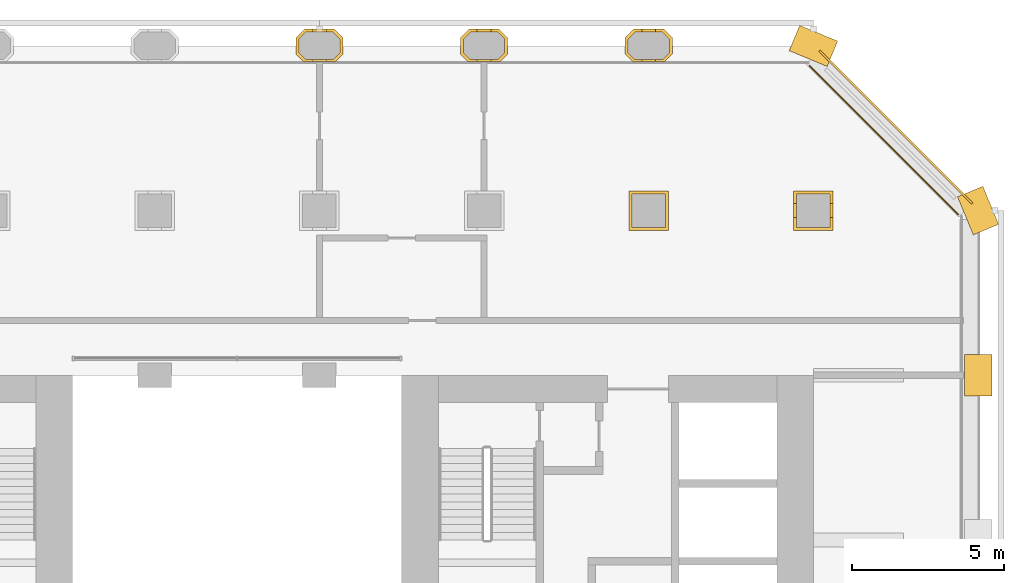
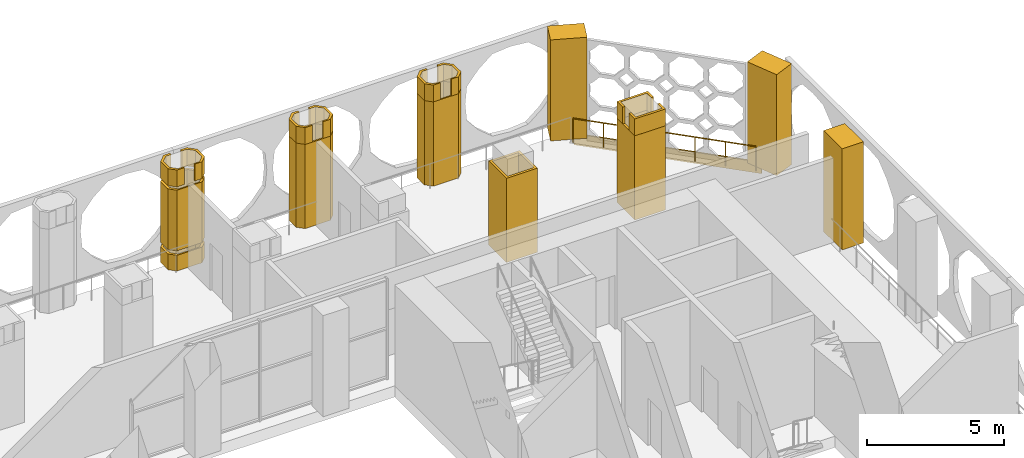
# One storey, part 14 of 14: 18 coverings, 1 railing.
"""IFC4 building model written with IfcOpenShell, lengths in metres."""

from ifc_helpers import new_model, si_unit, direction, frame, frame_2d, origin, origin_2d, place, context, subcontext, project, spatial, polyline, rectangle, circle, outline, extrude, material, layer, layer_set, type_object, element, save


model = new_model("IFC4")

# Units and contexts
model_context = context("Model", 3, precision=1e-05, world=origin(), true_north=direction((0.0, 1.0)))
body_context = subcontext(model_context, "Body", "Model", "MODEL_VIEW")
ifc_project = project(units=[si_unit("LENGTHUNIT", "METRE"), si_unit("AREAUNIT", "SQUARE_METRE"), si_unit("VOLUMEUNIT", "CUBIC_METRE"), si_unit("PLANEANGLEUNIT", "RADIAN"), si_unit("MASSUNIT", "GRAM", prefix="KILO")], contexts=[model_context])

# Site, building, storey
site_placement = place(None, origin())
site = spatial("IfcSite", under=ifc_project, at=site_placement, CompositionType="ELEMENT")
building_placement = place(site_placement, origin())
building = spatial("IfcBuilding", under=site, at=building_placement, Name="Tabaq Tower and Sports Hall", CompositionType="ELEMENT")
storey_placement = place(building_placement, frame((0.0, 0.0, 60.199951171875)))
storey = spatial("IfcBuildingStorey", under=building, at=storey_placement, Name="L13", CompositionType="ELEMENT", Elevation=60.199951171875)

# Coverings
ifc_material_1 = material(Name="Precast concrete C60/75", Category="concrete")
ifc_layer_1 = layer(ifc_material_1, 0.10009765625)
ifc_layer_set_1 = layer_set([ifc_layer_1], Name="Column cladding 100")
covering_type_1 = type_object("IfcCoveringType", Name="Column cladding 100", PredefinedType="CLADDING", material=ifc_layer_set_1)
covering_1_placement = place(storey_placement, origin())
element("IfcCovering", 1, at=covering_1_placement, inside=storey, type_object=covering_type_1, Name="Column cladding L13 PC-6I-O1", PredefinedType="CLADDING", context=body_context, shape_type="SweptSolid", body=[
    extrude(outline(polyline([(26.225341796875, 43.46630859375), (26.5087890625, 43.749755859375), (27.4912109375, 43.749755859375), (27.774658203125, 43.46630859375), (27.774658203125, 42.93359375), (27.53125, 42.690185546875), (26.46875, 42.690185546875), (26.225341796875, 42.93359375), (26.225341796875, 43.46630859375)]), holes=[polyline([(27.67529296875, 42.974853515625), (27.67529296875, 43.425048828125), (27.4501953125, 43.650390625), (26.5498046875, 43.650390625), (26.32470703125, 43.425048828125), (26.32470703125, 42.974853515625), (26.5498046875, 42.749755859375), (27.4501953125, 42.749755859375), (27.67529296875, 42.974853515625)])]), origin(), (0.0, 0.0, 1.0), 0.699951171875),
])
covering_2_placement = place(storey_placement, frame((0.0, 0.0, 0.900146484375)))
element("IfcCovering", 2, at=covering_2_placement, inside=storey, type_object=covering_type_1, Name="Column cladding L13 PC-6I-O1 2", PredefinedType="CLADDING", context=body_context, shape_type="SweptSolid", body=[
    extrude(outline(polyline([(26.225341796875, 43.46630859375), (26.5087890625, 43.749755859375), (27.4912109375, 43.749755859375), (27.774658203125, 43.46630859375), (27.774658203125, 42.93359375), (27.53125, 42.690185546875), (26.46875, 42.690185546875), (26.225341796875, 42.93359375), (26.225341796875, 43.46630859375)]), holes=[polyline([(27.67529296875, 42.974853515625), (27.67529296875, 43.425048828125), (27.4501953125, 43.650390625), (26.5498046875, 43.650390625), (26.32470703125, 43.425048828125), (26.32470703125, 42.974853515625), (26.5498046875, 42.749755859375), (27.4501953125, 42.749755859375), (27.67529296875, 42.974853515625)])]), origin(), (0.0, 0.0, 1.0), 2.699951171875),
])
covering_3_placement = place(storey_placement, frame((0.0, 0.0, 3.75)))
element("IfcCovering", 3, at=covering_3_placement, inside=storey, type_object=covering_type_1, Name="Column cladding L13 PC-6I-O1 head", PredefinedType="CLADDING", context=body_context, shape_type="SweptSolid", body=[
    extrude(outline(polyline([(26.5087890625, 43.749755859375), (26.774658203125, 43.749755859375), (26.774658203125, 43.650390625), (26.5498046875, 43.650390625), (26.32470703125, 43.425048828125), (26.32470703125, 42.974853515625), (26.5498046875, 42.749755859375), (26.774658203125, 42.749755859375), (26.774658203125, 42.690185546875), (26.46875, 42.690185546875), (26.225341796875, 42.93359375), (26.225341796875, 43.46630859375), (26.5087890625, 43.749755859375)])), origin(), (0.0, 0.0, 1.0), 0.75),
])
covering_4_placement = place(storey_placement, frame((0.0, 0.0, 3.75)))
element("IfcCovering", 4, at=covering_4_placement, inside=storey, type_object=covering_type_1, Name="Column cladding L13 PC-6I-O1 head 2", PredefinedType="CLADDING", context=body_context, shape_type="SweptSolid", body=[
    extrude(outline(polyline([(27.4912109375, 43.749755859375), (27.774658203125, 43.46630859375), (27.774658203125, 42.93359375), (27.53125, 42.690185546875), (27.225341796875, 42.690185546875), (27.225341796875, 42.749755859375), (27.4501953125, 42.749755859375), (27.67529296875, 42.974853515625), (27.67529296875, 43.425048828125), (27.4501953125, 43.650390625), (27.225341796875, 43.650390625), (27.225341796875, 43.749755859375), (27.4912109375, 43.749755859375)])), origin(), (0.0, 0.0, 1.0), 0.75),
])
covering_5_placement = place(storey_placement, origin())
element("IfcCovering", 5, at=covering_5_placement, inside=storey, type_object=covering_type_1, Name="Column cladding L13 PC-7I-O1", PredefinedType="CLADDING", context=body_context, shape_type="SweptSolid", body=[
    extrude(outline(polyline([(31.625244140625, 43.46630859375), (31.90869140625, 43.749755859375), (32.891357421875, 43.749755859375), (33.1748046875, 43.46630859375), (33.1748046875, 42.93359375), (32.931396484375, 42.690185546875), (31.86865234375, 42.690185546875), (31.625244140625, 42.93359375), (31.625244140625, 43.46630859375)]), holes=[polyline([(33.0751953125, 42.974853515625), (33.0751953125, 43.425048828125), (32.85009765625, 43.650390625), (31.949951171875, 43.650390625), (31.724609375, 43.425048828125), (31.724609375, 42.974853515625), (31.949951171875, 42.749755859375), (32.85009765625, 42.749755859375), (33.0751953125, 42.974853515625)])]), origin(), (0.0, 0.0, 1.0), 3.75),
])
covering_6_placement = place(storey_placement, frame((0.0, 0.0, 3.75)))
element("IfcCovering", 6, at=covering_6_placement, inside=storey, type_object=covering_type_1, Name="Column cladding L13 PC-7I-O1 head", PredefinedType="CLADDING", context=body_context, shape_type="SweptSolid", body=[
    extrude(outline(polyline([(31.90869140625, 43.749755859375), (32.1748046875, 43.749755859375), (32.1748046875, 43.650390625), (31.949951171875, 43.650390625), (31.724609375, 43.425048828125), (31.724609375, 42.974853515625), (31.949951171875, 42.749755859375), (32.1748046875, 42.749755859375), (32.1748046875, 42.690185546875), (31.86865234375, 42.690185546875), (31.625244140625, 42.93359375), (31.625244140625, 43.46630859375), (31.90869140625, 43.749755859375)])), origin(), (0.0, 0.0, 1.0), 0.75),
])
covering_7_placement = place(storey_placement, frame((0.0, 0.0, 3.75)))
element("IfcCovering", 7, at=covering_7_placement, inside=storey, type_object=covering_type_1, Name="Column cladding L13 PC-7I-O1 head 2", PredefinedType="CLADDING", context=body_context, shape_type="SweptSolid", body=[
    extrude(outline(polyline([(32.891357421875, 43.749755859375), (33.1748046875, 43.46630859375), (33.1748046875, 42.93359375), (32.931396484375, 42.690185546875), (32.625244140625, 42.690185546875), (32.625244140625, 42.749755859375), (32.85009765625, 42.749755859375), (33.0751953125, 42.974853515625), (33.0751953125, 43.425048828125), (32.85009765625, 43.650390625), (32.625244140625, 43.650390625), (32.625244140625, 43.749755859375), (32.891357421875, 43.749755859375)])), origin(), (0.0, 0.0, 1.0), 0.75),
])
covering_8_placement = place(storey_placement, origin())
element("IfcCovering", 8, at=covering_8_placement, inside=storey, type_object=covering_type_1, Name="Column cladding L13 CC-8H-O1", PredefinedType="CLADDING", context=body_context, shape_type="SweptSolid", body=[
    extrude(outline(polyline([(37.150390625, 38.44970703125), (38.44970703125, 38.44970703125), (38.44970703125, 37.150390625), (37.150390625, 37.150390625), (37.150390625, 38.44970703125)]), holes=[polyline([(38.350341796875, 37.249755859375), (38.350341796875, 38.350341796875), (37.249755859375, 38.350341796875), (37.249755859375, 37.249755859375), (38.350341796875, 37.249755859375)])]), origin(), (0.0, 0.0, 1.0), 3.75),
])
covering_9_placement = place(storey_placement, origin())
element("IfcCovering", 9, at=covering_9_placement, inside=storey, type_object=covering_type_1, Name="Column cladding L13 PC-8I-O1", PredefinedType="CLADDING", context=body_context, shape_type="SweptSolid", body=[
    extrude(outline(polyline([(37.025390625, 43.46630859375), (37.30859375, 43.749755859375), (38.291259765625, 43.749755859375), (38.57470703125, 43.46630859375), (38.57470703125, 42.93359375), (38.331298828125, 42.690185546875), (37.268798828125, 42.690185546875), (37.025390625, 42.93359375), (37.025390625, 43.46630859375)]), holes=[polyline([(38.475341796875, 42.974853515625), (38.475341796875, 43.425048828125), (38.250244140625, 43.650390625), (37.349853515625, 43.650390625), (37.124755859375, 43.425048828125), (37.124755859375, 42.974853515625), (37.349853515625, 42.749755859375), (38.250244140625, 42.749755859375), (38.475341796875, 42.974853515625)])]), origin(), (0.0, 0.0, 1.0), 3.75),
])
covering_10_placement = place(storey_placement, frame((0.0, 0.0, 3.75)))
element("IfcCovering", 10, at=covering_10_placement, inside=storey, type_object=covering_type_1, Name="Column cladding L13 PC-8I-O1 head", PredefinedType="CLADDING", context=body_context, shape_type="SweptSolid", body=[
    extrude(outline(polyline([(38.291259765625, 43.749755859375), (38.57470703125, 43.46630859375), (38.57470703125, 42.93359375), (38.331298828125, 42.690185546875), (38.025390625, 42.690185546875), (38.025390625, 42.749755859375), (38.250244140625, 42.749755859375), (38.475341796875, 42.974853515625), (38.475341796875, 43.425048828125), (38.250244140625, 43.650390625), (38.025390625, 43.650390625), (38.025390625, 43.749755859375), (38.291259765625, 43.749755859375)])), origin(), (0.0, 0.0, 1.0), 0.75),
])
covering_11_placement = place(storey_placement, frame((0.0, 0.0, 3.75)))
element("IfcCovering", 11, at=covering_11_placement, inside=storey, type_object=covering_type_1, Name="Column cladding L13 PC-8I-O1 head 2", PredefinedType="CLADDING", context=body_context, shape_type="SweptSolid", body=[
    extrude(outline(polyline([(37.30859375, 43.749755859375), (37.57470703125, 43.749755859375), (37.57470703125, 43.650390625), (37.349853515625, 43.650390625), (37.124755859375, 43.425048828125), (37.124755859375, 42.974853515625), (37.349853515625, 42.749755859375), (37.57470703125, 42.749755859375), (37.57470703125, 42.690185546875), (37.268798828125, 42.690185546875), (37.025390625, 42.93359375), (37.025390625, 43.46630859375), (37.30859375, 43.749755859375)])), origin(), (0.0, 0.0, 1.0), 0.75),
])
covering_12_placement = place(storey_placement, origin())
element("IfcCovering", 12, at=covering_12_placement, inside=storey, type_object=covering_type_1, Name="Column cladding L13 CC-9H-O1", PredefinedType="CLADDING", context=body_context, shape_type="SweptSolid", body=[
    extrude(outline(polyline([(42.55029296875, 38.44970703125), (43.849609375, 38.44970703125), (43.849609375, 37.150390625), (42.55029296875, 37.150390625), (42.55029296875, 38.44970703125)]), holes=[polyline([(43.750244140625, 37.249755859375), (43.750244140625, 38.350341796875), (42.649658203125, 38.350341796875), (42.649658203125, 37.249755859375), (43.750244140625, 37.249755859375)])]), origin(), (0.0, 0.0, 1.0), 3.75),
])
covering_13_placement = place(storey_placement, frame((0.0, 0.0, 3.75)))
element("IfcCovering", 13, at=covering_13_placement, inside=storey, type_object=covering_type_1, Name="Column cladding L13 CC-9H-O1 head", PredefinedType="CLADDING", context=body_context, shape_type="SweptSolid", body=[
    extrude(outline(polyline([(42.6494140625, 37.574462890625), (42.6494140625, 37.24951171875), (43.75048828125, 37.24951171875), (43.75048828125, 37.574462890625), (43.849365234375, 37.574462890625), (43.849365234375, 37.150634765625), (42.550537109375, 37.150634765625), (42.550537109375, 37.574462890625), (42.6494140625, 37.574462890625)])), origin(), (0.0, 0.0, 1.0), 0.75),
])
covering_14_placement = place(storey_placement, frame((0.0, 0.0, 3.75)))
element("IfcCovering", 14, at=covering_14_placement, inside=storey, type_object=covering_type_1, Name="Column cladding L13 CC-9H-O1 head 2", PredefinedType="CLADDING", context=body_context, shape_type="SweptSolid", body=[
    extrude(outline(polyline([(42.6494140625, 38.025634765625), (42.550537109375, 38.025634765625), (42.550537109375, 38.449462890625), (43.849365234375, 38.449462890625), (43.849365234375, 38.025634765625), (43.75048828125, 38.025634765625), (43.75048828125, 38.3505859375), (42.6494140625, 38.3505859375), (42.6494140625, 38.025634765625)])), origin(), (0.0, 0.0, 1.0), 0.75),
])
ifc_material_2 = material(Name="Precast concrete C60/75", Category="concrete")
ifc_layer_2 = layer(ifc_material_2, 0.06005859375)
ifc_layer_set_2 = layer_set([ifc_layer_2], Name="Edge beam cladding 60")
covering_type_2 = type_object("IfcCoveringType", Name="Edge beam cladding 60", PredefinedType="CLADDING", material=ifc_layer_set_2)
covering_15_placement = place(storey_placement, frame((48.41015625, 38.0322265625, -0.5), z_axis=(0.0, 0.0, 1.0), x_axis=(-0.707106781187, 0.707106781187, 0.0)))
element("IfcCovering", 15, at=covering_15_placement, inside=storey, type_object=covering_type_2, Name="Edge beam cladding L13 4", PredefinedType="CLADDING", context=body_context, shape_type="SweptSolid", body=[
    extrude(rectangle(XDim=7.08837890625, YDim=0.06005859375, at=frame_2d((3.544189453125, 0.0))), origin(), (0.0, 0.0, 1.0), 0.5),
])

# Railing
ifc_material_3 = material(Name="Stainless steel S316 and laminated glass", Category="steel")
railing_type = type_object("IfcRailingType", Name="Guard 1100 steel and glass", PredefinedType="GUARDRAIL", material=ifc_material_3)
railing_placement = place(storey_placement, frame((47.950927734375, 37.671142578125, 0.0)))
element("IfcRailing", 16, at=railing_placement, inside=storey, type_object=railing_type, Name="Guard L13 NE", PredefinedType="GUARDRAIL", context=body_context, shape_type="SweptSolid", body=[
    extrude(circle(Radius=0.02490234375, at=origin_2d()), frame((0.0, 0.0, 1.0751953125), z_axis=(-0.70708909224, 0.70712446969, 0.0), x_axis=(-0.70712446969, -0.70708909224, 0.0)), (0.0, 0.0, 1.0), 6.901123046875),
    extrude(circle(Radius=0.02001953125, at=origin_2d()), origin(), (0.0, 0.0, 1.0), 1.050048828125),
    extrude(circle(Radius=0.02001953125, at=origin_2d()), frame((-0.813232421875, 0.813232421875, 0.0)), (0.0, 0.0, 1.0), 1.050048828125),
    extrude(circle(Radius=0.02001953125, at=origin_2d()), frame((-1.62646484375, 1.626708984375, 0.0)), (0.0, 0.0, 1.0), 1.050048828125),
    extrude(circle(Radius=0.02001953125, at=origin_2d()), frame((-2.43994140625, 2.43994140625, 0.0)), (0.0, 0.0, 1.0), 1.050048828125),
    extrude(circle(Radius=0.02001953125, at=origin_2d()), frame((-3.253173828125, 3.253173828125, 0.0)), (0.0, 0.0, 1.0), 1.050048828125),
    extrude(circle(Radius=0.02001953125, at=origin_2d()), frame((-4.06640625, 4.066650390625, 0.0)), (0.0, 0.0, 1.0), 1.050048828125),
    extrude(circle(Radius=0.02001953125, at=origin_2d()), frame((-4.879638671875, 4.8798828125, 0.0)), (0.0, 0.0, 1.0), 1.050048828125),
])

# Coverings
ifc_material_4 = material(Name="White precast concrete C60/75", Category="concrete")
covering_type_3 = type_object("IfcCoveringType", Name="Pier cladding hung 1350x900", PredefinedType="CLADDING", material=ifc_material_4)
covering_16_placement = place(storey_placement, frame((43.82373046875, 42.941650390625, 0.0), z_axis=(0.0, 0.0, 1.0), x_axis=(-0.923893411637, 0.382649923473, 0.0)))
element("IfcCovering", 17, at=covering_16_placement, inside=storey, type_object=covering_type_3, Name="Hung pier cladding 8/8", PredefinedType="CLADDING", context=body_context, shape_type="SweptSolid", body=[
    extrude(rectangle(XDim=1.35009765625, YDim=0.89990234375, at=frame_2d((0.675048828125, 0.0))), origin(), (0.0, 0.0, 1.0), 4.5),
])
covering_17_placement = place(storey_placement, frame((48.60009765625, 31.72509765625, 0.0), z_axis=(0.0, 0.0, 1.0), x_axis=(0.0, 1.0, 0.0)))
element("IfcCovering", 18, at=covering_17_placement, inside=storey, type_object=covering_type_3, Name="Hung pier cladding 9/6", PredefinedType="CLADDING", context=body_context, shape_type="SweptSolid", body=[
    extrude(rectangle(XDim=1.349853515625, YDim=0.89990234375, at=frame_2d((0.6748046875, 0.0))), origin(), (0.0, 0.0, 1.0), 4.5),
])
covering_18_placement = place(storey_placement, frame((48.8583984375, 37.17626953125, 0.0), z_axis=(0.0, 0.0, 1.0), x_axis=(-0.382649923473, 0.923893411637, 0.0)))
element("IfcCovering", 19, at=covering_18_placement, inside=storey, type_object=covering_type_3, Name="Hung pier cladding 9/7", PredefinedType="CLADDING", context=body_context, shape_type="SweptSolid", body=[
    extrude(rectangle(XDim=1.35009765625, YDim=0.89990234375, at=frame_2d((0.675048828125, 0.0))), origin(), (0.0, 0.0, 1.0), 4.5),
])

save(model, "model.ifc")
